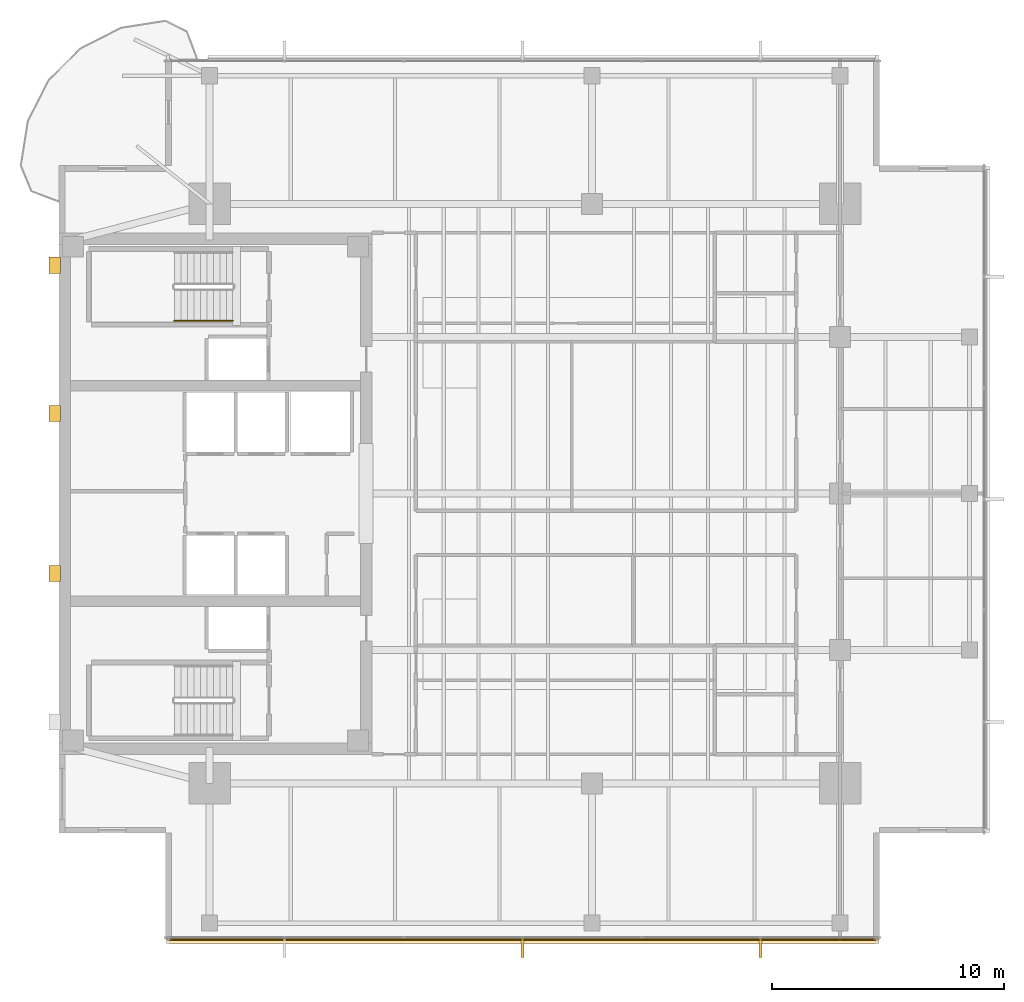
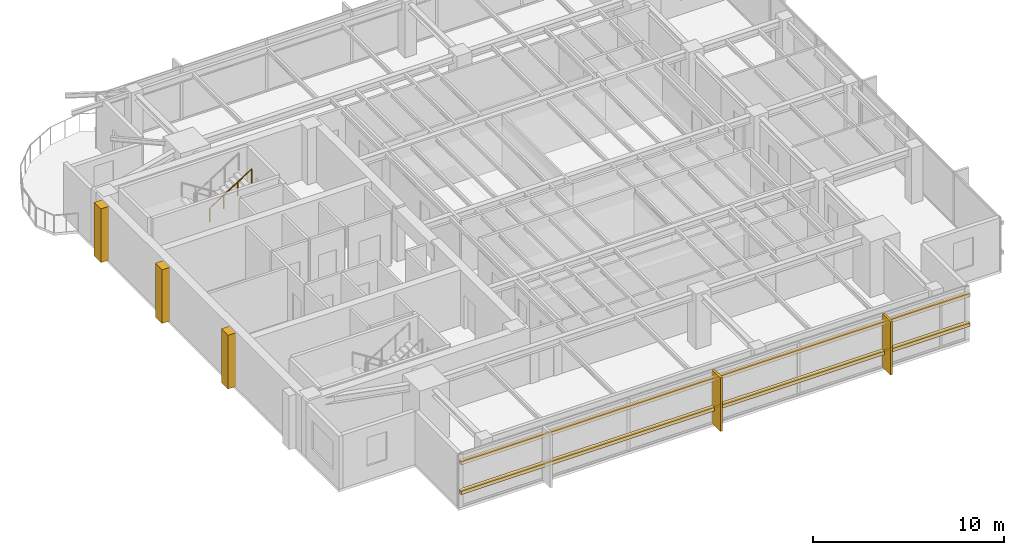
# One storey, part 12 of 14: 7 coverings, 2 shading devices, 1 railing.
"""IFC4 building model written with IfcOpenShell, lengths in metres."""

from ifc_helpers import new_model, si_unit, direction, frame, origin, origin_2d, place, context, subcontext, project, spatial, polyline, rectangle, circle, outline, extrude, material, layer, layer_set, material_profile, profile_set, type_object, element, save


model = new_model("IFC4")

# Units and contexts
model_context = context("Model", 3, precision=1e-05, world=origin(), true_north=direction((0.0, 1.0)))
body_context = subcontext(model_context, "Body", "Model", "MODEL_VIEW")
ifc_project = project(units=[si_unit("LENGTHUNIT", "METRE"), si_unit("AREAUNIT", "SQUARE_METRE"), si_unit("VOLUMEUNIT", "CUBIC_METRE"), si_unit("PLANEANGLEUNIT", "RADIAN"), si_unit("MASSUNIT", "GRAM", prefix="KILO")], contexts=[model_context])

# Site, building, storey
site_placement = place(None, origin())
site = spatial("IfcSite", under=ifc_project, at=site_placement, CompositionType="ELEMENT")
building_placement = place(site_placement, origin())
building = spatial("IfcBuilding", under=site, at=building_placement, Name="Kinhvarn Gate Tower", CompositionType="ELEMENT")
storey_placement = place(building_placement, frame((0.0, 0.0, 256.35009765625)))
storey = spatial("IfcBuildingStorey", under=building, at=storey_placement, Name="L68", CompositionType="ELEMENT", Elevation=256.35009765625)

# Coverings
ifc_material_1 = material(Name="Fired architectural terracotta", Category="masonry")
ifc_layer_1 = layer(ifc_material_1, 0.239990234375)
ifc_layer_set_1 = layer_set([ifc_layer_1], Name="Fired architectural terracotta")
covering_type_1 = type_object("IfcCoveringType", Name="COV-BAG-220", PredefinedType="CLADDING", material=ifc_layer_set_1)
for number, where, name in (
    (1, (0.0, 0.0, 0.93994140625), "Terracotta Horizontal Sunscreen Band TBG-220 (L68)"),
    (2, (0.0, 0.0, 2.829833984375), "Terracotta Horizontal Sunscreen Band TBG-220 (L68)"),
):
    element("IfcCovering", number, at=place(storey_placement, frame(where)), inside=storey, type_object=covering_type_1, Name=name, PredefinedType="CLADDING", context=body_context, shape_type="SweptSolid", body=[
        extrude(outline(polyline([(9.139892578125, 6.070068359375), (39.860107421875, 6.070068359375), (39.860107421875, 5.830078125), (9.139892578125, 5.830078125), (9.139892578125, 6.070068359375)])), origin(), (0.0, 0.0, 1.0), 0.219970703125),
    ])
ifc_layer_2 = layer(ifc_material_1, 0.139892578125)
ifc_layer_set_2 = layer_set([ifc_layer_2], Name="Fired architectural terracotta")
covering_type_2 = type_object("IfcCoveringType", Name="COV-FIN-850", PredefinedType="CLADDING", material=ifc_layer_set_2)
covering_1_placement = place(storey_placement, frame((0.0, 0.0, -0.02001953125)))
element("IfcCovering", 3, at=covering_1_placement, inside=storey, type_object=covering_type_2, Name="Vertical Terracotta Expressive Fin TFN-850 (L68)", PredefinedType="CLADDING", context=body_context, shape_type="SweptSolid", body=[
    extrude(outline(polyline([(24.429931640625, 6.080078125), (24.570068359375, 6.080078125), (24.570068359375, 5.22998046875), (24.429931640625, 5.22998046875), (24.429931640625, 6.080078125)])), origin(), (0.0, 0.0, 1.0), 3.429931640625),
])
covering_2_placement = place(storey_placement, frame((0.0, 0.0, -0.02001953125)))
element("IfcCovering", 4, at=covering_2_placement, inside=storey, type_object=covering_type_2, Name="Vertical Terracotta Expressive Fin TFN-850 (L68)", PredefinedType="CLADDING", context=body_context, shape_type="SweptSolid", body=[
    extrude(outline(polyline([(34.69677734375, 6.080078125), (34.836669921875, 6.080078125), (34.836669921875, 5.22998046875), (34.69677734375, 5.22998046875), (34.69677734375, 6.080078125)])), origin(), (0.0, 0.0, 1.0), 3.429931640625),
])
ifc_material_2 = material(Name="Precast white architectural concrete C40/50", Category="concrete")
ifc_layer_3 = layer(ifc_material_2, 0.47998046875)
ifc_layer_set_3 = layer_set([ifc_layer_3], Name="Precast white architectural concrete C40/50")
covering_type_3 = type_object("IfcCoveringType", Name="COV-RIB-450", PredefinedType="CLADDING", material=ifc_layer_set_3)
covering_3_placement = place(storey_placement, frame((0.0, 0.0, -0.02001953125)))
element("IfcCovering", 5, at=covering_3_placement, inside=storey, type_object=covering_type_3, Name="West Core Sculptural Concrete Relief Rib CRB-450 (L68)", PredefinedType="CLADDING", context=body_context, shape_type="SweptSolid", body=[
    extrude(outline(polyline([(4.080078125, 21.449951171875), (4.56005859375, 21.449951171875), (4.56005859375, 22.14990234375), (4.080078125, 22.14990234375), (4.080078125, 21.449951171875)])), origin(), (0.0, 0.0, 1.0), 3.429931640625),
])
covering_4_placement = place(storey_placement, frame((0.0, 0.0, -0.02001953125)))
element("IfcCovering", 6, at=covering_4_placement, inside=storey, type_object=covering_type_3, Name="West Core Sculptural Concrete Relief Rib CRB-450 (L68)", PredefinedType="CLADDING", context=body_context, shape_type="SweptSolid", body=[
    extrude(outline(polyline([(4.080078125, 28.35009765625), (4.56005859375, 28.35009765625), (4.56005859375, 29.050048828125), (4.080078125, 29.050048828125), (4.080078125, 28.35009765625)])), origin(), (0.0, 0.0, 1.0), 3.429931640625),
])
covering_5_placement = place(storey_placement, frame((0.0, 0.0, -0.02001953125)))
element("IfcCovering", 7, at=covering_5_placement, inside=storey, type_object=covering_type_3, Name="West Core Sculptural Concrete Relief Rib CRB-450 (L68)", PredefinedType="CLADDING", context=body_context, shape_type="SweptSolid", body=[
    extrude(outline(polyline([(4.080078125, 34.75), (4.56005859375, 34.75), (4.56005859375, 35.449951171875), (4.080078125, 35.449951171875), (4.080078125, 34.75)])), origin(), (0.0, 0.0, 1.0), 3.429931640625),
])

# Railing
ifc_material_3 = material(Name="Steel S355", Category="steel")
railing_type = type_object("IfcRailingType", Name="RL-ST-HND", PredefinedType="HANDRAIL", material=ifc_material_3)
railing_placement = place(storey_placement, frame((9.47998046875, 32.699951171875, 1.952392578125)))
element("IfcRailing", 8, at=railing_placement, inside=storey, type_object=railing_type, Name="L68 ST2 stair handrail 2", PredefinedType="HANDRAIL", context=body_context, shape_type="SweptSolid", body=[
    extrude(circle(Radius=0.02392578125, at=origin_2d()), frame((0.0, 0.0, 0.8759765625), z_axis=(0.84460694969, 0.0, 0.535386869969), x_axis=(0.0, 1.0, 0.0)), (0.0, 0.0, 1.0), 2.983642578125),
    extrude(circle(Radius=0.02099609375, at=origin_2d()), origin(), (0.0, 0.0, 1.0), 0.851806640625),
    extrude(circle(Radius=0.02099609375, at=origin_2d()), frame((0.840087890625, 0.0, 0.532470703125)), (0.0, 0.0, 1.0), 0.851806640625),
    extrude(circle(Radius=0.02099609375, at=origin_2d()), frame((1.679931640625, 0.0, 1.06494140625)), (0.0, 0.0, 1.0), 0.851806640625),
    extrude(circle(Radius=0.02099609375, at=origin_2d()), frame((2.52001953125, 0.0, 1.597412109375)), (0.0, 0.0, 1.0), 0.851806640625),
])

# Shading devices
ifc_material_profile = material_profile(ifc_material_1, rectangle(XDim=0.050048828125, YDim=0.1201171875, at=origin_2d()), Name="TC 50x120")
ifc_profile_set = profile_set([ifc_material_profile], Name="Fired architectural terracotta")
shading_device_type = type_object("IfcShadingDeviceType", Name="SHD-BAG-140", PredefinedType="USERDEFINED", material=ifc_profile_set)
for number, where, z_axis, x_axis, name in (
    (9, (9.139892578125, 6.0, 1.0498046875), (1.0, 0.0, 0.0), (0.0, 1.0, 0.0), "Upper Tower Terracotta Baguette Screen Rod 50x120 mm (L68)"),
    (10, (9.139892578125, 6.0, 2.93994140625), (1.0, 0.0, 0.0), (0.0, 1.0, 0.0), "Upper Tower Terracotta Baguette Screen Rod 50x120 mm (L68)"),
):
    element("IfcShadingDevice", number, at=place(storey_placement, frame(where, z_axis=z_axis, x_axis=x_axis)), inside=storey, type_object=shading_device_type, Name=name, ObjectType="BAGUETTE", PredefinedType="USERDEFINED", context=body_context, shape_type="SweptSolid", body=[
        extrude(rectangle(XDim=0.050048828125, YDim=0.1201171875, at=origin_2d()), origin(), (0.0, 0.0, 1.0), 30.72021484375),
    ])

save(model, "model.ifc")
